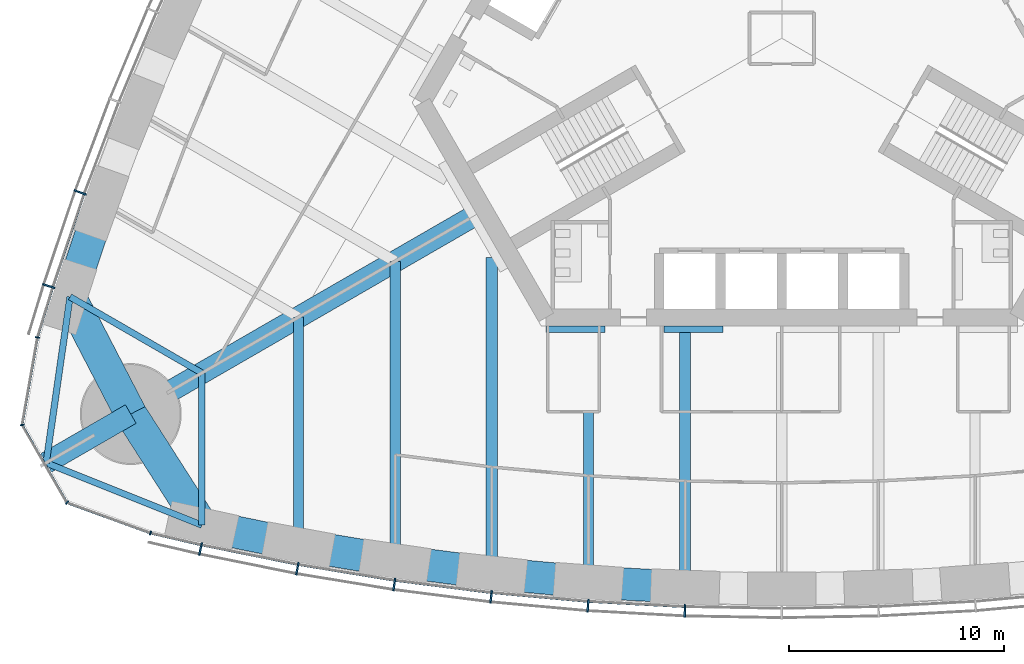
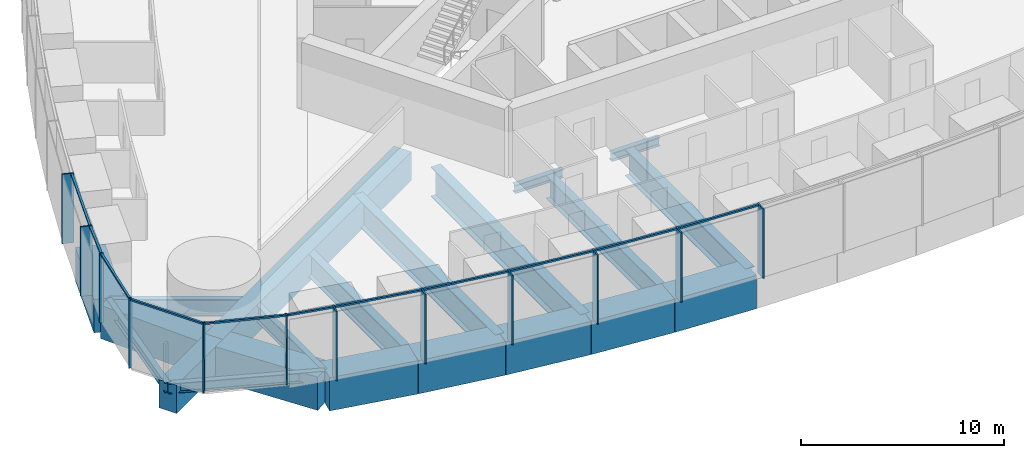
# One storey, part 2 of 20: 23 members, 21 beams, 3 elements without a shape of their own.
"""IFC4 building model written with IfcOpenShell, lengths in metres."""

import ifcopenshell
import ifcopenshell.guid

model = None  # the IFC model being written
_history = None  # IfcOwnerHistory: only IFC2X3 demands one
_inside = {}  # id of a spatial element -> (the spatial element, [elements in it])
_under = {}  # id of a project, library or spatial element -> (it, [spatial elements below it])
_declared = {}  # id of a project -> (the project, [libraries it declares])
_typed = {}  # id of a type object -> (the type object, [elements of that type])
_made_of = {}  # id of a material, layer set ... -> (it, [elements and type objects made of it])


def new_model(schema):
    """Start an empty IFC model of exactly this schema.

    Asked for "IFC4X3", IfcOpenShell would pick the latest addendum, in which some entities
    have other attributes; the version numbers below select the first issue.
    IFC2X3 requires an IfcOwnerHistory on every rooted entity: one is made here for all.
    """
    global model, _history
    if schema == "IFC4X3":
        model = ifcopenshell.file(schema_version=(4, 3, 0, 0))
    else:
        model = ifcopenshell.file(schema=schema)
    _inside.clear()
    _under.clear()
    _declared.clear()
    _typed.clear()
    _made_of.clear()
    _history = None
    if model.schema == "IFC2X3":
        org = make("IfcOrganization", Name="unknown")
        user = make(
            "IfcPersonAndOrganization",
            ThePerson=make("IfcPerson", FamilyName="unknown"),
            TheOrganization=org,
        )
        app = make(
            "IfcApplication",
            ApplicationDeveloper=org,
            Version="unknown",
            ApplicationFullName="unknown",
            ApplicationIdentifier="unknown",
        )
        _history = make(
            "IfcOwnerHistory",
            OwningUser=user,
            OwningApplication=app,
            ChangeAction="ADDED",
            CreationDate=0,
        )
    return model


def make(cls, **values):
    """One entity of the class cls with the attributes given. An attribute that is None is left unset."""
    return model.create_entity(
        cls, **{name: value for name, value in values.items() if value is not None}
    )


def rooted(cls, **values):
    """An entity with a GlobalId (a new one), such as an element, a storey or a relation."""
    return make(cls, GlobalId=ifcopenshell.guid.new(), OwnerHistory=_history, **values)


def si_unit(unit_type, name, prefix=None):
    """IfcSIUnit, for example si_unit("LENGTHUNIT", "METRE", prefix="MILLI")."""
    return make("IfcSIUnit", UnitType=unit_type, Prefix=prefix, Name=name)


def assignment(units):
    """IfcUnitAssignment: the units of a project."""
    return None if units is None else make("IfcUnitAssignment", Units=units)


def point(xyz):
    """IfcCartesianPoint."""
    return None if xyz is None else make("IfcCartesianPoint", Coordinates=xyz)


def direction(xyz):
    """IfcDirection."""
    return None if xyz is None else make("IfcDirection", DirectionRatios=xyz)


def frame(location, z_axis=None, x_axis=None):
    """IfcAxis2Placement3D, a coordinate frame: its origin and axes. An axis left out is left unset."""
    return make(
        "IfcAxis2Placement3D",
        Location=point(location),
        Axis=direction(z_axis),
        RefDirection=direction(x_axis),
    )


def frame_2d(location, x_axis=None):
    """IfcAxis2Placement2D, a coordinate frame in the plane: its origin and x axis."""
    return make(
        "IfcAxis2Placement2D", Location=point(location), RefDirection=direction(x_axis)
    )


def origin():
    """The frame at (0, 0, 0) with its axes left unset."""
    return frame((0.0, 0.0, 0.0))


def origin_2d():
    """The frame at (0, 0) in the plane with its x axis left unset."""
    return frame_2d((0.0, 0.0))


def place(relative_to, where):
    """IfcLocalPlacement: puts the frame where relative to a parent placement (None: the world)."""
    return make(
        "IfcLocalPlacement", PlacementRelTo=relative_to, RelativePlacement=where
    )


def context(
    kind, dimensions, precision=None, world=None, true_north=None, identifier=None
):
    """IfcGeometricRepresentationContext, for example the 3D "Model" context."""
    return make(
        "IfcGeometricRepresentationContext",
        ContextIdentifier=identifier,
        ContextType=kind,
        CoordinateSpaceDimension=dimensions,
        Precision=precision,
        WorldCoordinateSystem=world,
        TrueNorth=true_north,
    )


def subcontext(parent, identifier, kind, view, scale=None):
    """IfcGeometricRepresentationSubContext, for example "Body" below "Model"."""
    return make(
        "IfcGeometricRepresentationSubContext",
        ContextIdentifier=identifier,
        ContextType=kind,
        ParentContext=parent,
        TargetScale=scale,
        TargetView=view,
    )


def project(units=None, contexts=None):
    """IfcProject with its units and contexts."""
    return rooted(
        "IfcProject",
        Name="project",
        RepresentationContexts=contexts,
        UnitsInContext=assignment(units),
    )


def spatial(cls, under=None, at=None, **own):
    """A site, building, storey or space (cls), placed at a placement, below another one or the project."""
    s = rooted(cls, ObjectPlacement=at, **own)
    if under is not None:
        _under.setdefault(under.id(), (under, []))[1].append(s)
    return s


def profile(cls, at=None, kind="AREA", **sizes):
    """A parametric profile (cls). Its sizes go by their IFC names, for example OverallWidth=200.0."""
    return make(cls, ProfileType=kind, Position=at, **sizes)


def rectangle(**sizes):
    """IfcRectangleProfileDef."""
    return profile("IfcRectangleProfileDef", **sizes)


def i_section(**sizes):
    """IfcIShapeProfileDef."""
    return profile("IfcIShapeProfileDef", **sizes)


def extrude(swept, where, along, depth):
    """IfcExtrudedAreaSolid: the profile swept, set in the frame where, extruded along a direction by depth."""
    return make(
        "IfcExtrudedAreaSolid",
        SweptArea=swept,
        Position=where,
        ExtrudedDirection=direction(along),
        Depth=depth,
    )


def shape(context_of_items, identifier, shape_type, items):
    """IfcShapeRepresentation: the items that make up one representation, for example the "Body"."""
    return make(
        "IfcShapeRepresentation",
        ContextOfItems=context_of_items,
        RepresentationIdentifier=identifier,
        RepresentationType=shape_type,
        Items=items,
    )


def material(Name=None, Category=None):
    """IfcMaterial."""
    return make("IfcMaterial", Name=Name, Category=Category)


def material_profile(
    of_material, cross_section, Name=None, Category=None, Priority=None
):
    """IfcMaterialProfile: a cross section and its material."""
    return make(
        "IfcMaterialProfile",
        Name=Name,
        Material=of_material,
        Profile=cross_section,
        Priority=Priority,
        Category=Category,
    )


def profile_set(profiles, Name=None, composite=None):
    """IfcMaterialProfileSet."""
    return make(
        "IfcMaterialProfileSet",
        Name=Name,
        MaterialProfiles=profiles,
        CompositeProfile=composite,
    )


def made_of(thing, what):
    """Note that an element or type object is made of a material, layer set ...; save() writes the relation."""
    if what is not None:
        _made_of.setdefault(what.id(), (what, []))[1].append(thing)
    return thing


def type_object(cls, material=None, **own):
    """A type object (cls), such as IfcWallType, which elements share."""
    return made_of(rooted(cls, **own), material)


def element(
    cls,
    number,
    at=None,
    inside=None,
    cuts=None,
    type_object=None,
    material=None,
    context=None,
    identifier="Body",
    shape_type=None,
    held_by="IfcProductDefinitionShape",
    body=None,
    shapes=None,
    **own,
):
    """One element of the class cls, such as IfcWall. Its Tag is "e" and its number.

    at: its placement. inside: the storey or other place that contains it. cuts: it is an
    opening in that element (IfcRelVoidsElement). A single representation is given by context,
    identifier, shape_type and body (its items); several are given by shapes. held_by: the class
    of the entity that holds the representations. save() writes the other relations.
    """
    e = rooted(cls, Tag="e%d" % number, ObjectPlacement=at, **own)
    if body is not None:
        shapes = [shape(context, identifier, shape_type, body)]
    if shapes is not None:
        e.Representation = make(held_by, Representations=shapes)
    if inside is not None:
        _inside.setdefault(inside.id(), (inside, []))[1].append(e)
    if cuts is not None:
        rooted(
            "IfcRelVoidsElement", RelatingBuildingElement=cuts, RelatedOpeningElement=e
        )
    if type_object is not None:
        _typed.setdefault(type_object.id(), (type_object, []))[1].append(e)
    return made_of(e, material)


def aggregate(whole, parts):
    """IfcRelAggregates: a whole, such as a stair, and the parts it consists of."""
    return rooted("IfcRelAggregates", RelatingObject=whole, RelatedObjects=parts)


def save(model, path):
    """Write the relations noted so far, then the file.

    IfcRelAggregates (storeys below a building ...), IfcRelContainedInSpatialStructure (elements
    in a storey), IfcRelDefinesByType, IfcRelAssociatesMaterial and IfcRelDeclares: one each for
    every whole, place, type object, material and project.
    """
    for whole, parts in _under.values():
        aggregate(whole, parts)
    for where, things in _inside.values():
        rooted(
            "IfcRelContainedInSpatialStructure",
            RelatedElements=things,
            RelatingStructure=where,
        )
    for kind, things in _typed.values():
        rooted("IfcRelDefinesByType", RelatedObjects=things, RelatingType=kind)
    for what, things in _made_of.values():
        rooted("IfcRelAssociatesMaterial", RelatedObjects=things, RelatingMaterial=what)
    for by, libraries in _declared.values():
        rooted("IfcRelDeclares", RelatingContext=by, RelatedDefinitions=libraries)
    model.write(path)


model = new_model("IFC4")

# Units and contexts
model_context = context("Model", 3, precision=1e-05, world=origin(), true_north=direction((0.0, 1.0)))
body_context = subcontext(model_context, "Body", "Model", "MODEL_VIEW")
ifc_project = project(units=[si_unit("LENGTHUNIT", "METRE"), si_unit("AREAUNIT", "SQUARE_METRE"), si_unit("VOLUMEUNIT", "CUBIC_METRE"), si_unit("PLANEANGLEUNIT", "RADIAN"), si_unit("MASSUNIT", "GRAM", prefix="KILO")], contexts=[model_context])

# Site, building, storey
site_placement = place(None, origin())
site = spatial("IfcSite", under=ifc_project, at=site_placement, CompositionType="ELEMENT")
building_placement = place(site_placement, origin())
building = spatial("IfcBuilding", under=site, at=building_placement, Name="Trefoil Bronze Tower", CompositionType="ELEMENT")
storey_placement = place(building_placement, frame((0.0, 0.0, 103.10009765625)))
storey = spatial("IfcBuildingStorey", under=building, at=storey_placement, Name="L23", CompositionType="ELEMENT", Elevation=103.10009765625)

# Curtain wall, members
ifc_material_1 = material(Name="Tinted solar-control glass", Category="glass")
curtain_wall_type_1 = type_object("IfcCurtainWallType", Name="Bronze office curtain wall", PredefinedType="USERDEFINED", material=ifc_material_1)
curtain_wall_1_placement = place(storey_placement, origin())
curtain_wall_1 = element("IfcCurtainWall", 1, at=curtain_wall_1_placement, inside=storey, type_object=curtain_wall_type_1, Name="CW-A L23 F1", ObjectType="CURTAIN WALL", PredefinedType="USERDEFINED")
ifc_material_2 = material(Name="Bronze-finish aluminium", Category="aluminium")
ifc_material_profile_1 = material_profile(ifc_material_2, rectangle(XDim=0.60009765625, YDim=0.080078125, at=origin_2d()), Name="CW-A mullion")
ifc_profile_set_1 = profile_set([ifc_material_profile_1], Name="Bronze-finish aluminium")
member_type_1 = type_object("IfcMemberType", Name="Bronze office curtain wall mullion", PredefinedType="MULLION", material=ifc_profile_set_1)
member_1_placement = place(storey_placement, frame((-27.0634765625, -23.7890625, 0.0), z_axis=(0.0, 0.0, 1.0), x_axis=(0.21197042503, 0.977276081214, 0.0)))
member_1 = element("IfcMember", 2, at=member_1_placement, type_object=member_type_1, Name="CW-A L23 F1 mullion 2", PredefinedType="MULLION", context=body_context, shape_type="SweptSolid", body=[
    extrude(rectangle(XDim=0.60009765625, YDim=0.080078125, at=origin_2d()), origin(), (0.0, 0.0, 1.0), 4.179931640625),
])
member_2_placement = place(storey_placement, frame((-22.553955078125, -24.700927734375, 0.0), z_axis=(0.0, 0.0, 1.0), x_axis=(0.180240853954, 0.98362250613, 0.0)))
member_2 = element("IfcMember", 3, at=member_2_placement, type_object=member_type_1, Name="CW-A L23 F1 mullion 3", PredefinedType="MULLION", context=body_context, shape_type="SweptSolid", body=[
    extrude(rectangle(XDim=0.60009765625, YDim=0.080078125, at=origin_2d()), origin(), (0.0, 0.0, 1.0), 4.179931640625),
])
member_3_placement = place(storey_placement, frame((-18.043212890625, -25.4423828125, 0.0), z_axis=(0.0, 0.0, 1.0), x_axis=(0.144192103798, 0.989549714366, 0.0)))
member_3 = element("IfcMember", 4, at=member_3_placement, type_object=member_type_1, Name="CW-A L23 F1 mullion 4", PredefinedType="MULLION", context=body_context, shape_type="SweptSolid", body=[
    extrude(rectangle(XDim=0.60009765625, YDim=0.080078125, at=origin_2d()), origin(), (0.0, 0.0, 1.0), 4.179931640625),
])
member_4_placement = place(storey_placement, frame((-13.532470703125, -26.01611328125, 0.0), z_axis=(0.0, 0.0, 1.0), x_axis=(0.108143747013, 0.994135267447, 0.0)))
member_4 = element("IfcMember", 5, at=member_4_placement, type_object=member_type_1, Name="CW-A L23 F1 mullion 5", PredefinedType="MULLION", context=body_context, shape_type="SweptSolid", body=[
    extrude(rectangle(XDim=0.60009765625, YDim=0.080078125, at=origin_2d()), origin(), (0.0, 0.0, 1.0), 4.179931640625),
])
member_5_placement = place(storey_placement, frame((-9.021728515625, -26.424072265625, 0.0), z_axis=(0.0, 0.0, 1.0), x_axis=(0.072095676284, 0.997397720802, 0.0)))
member_5 = element("IfcMember", 6, at=member_5_placement, type_object=member_type_1, Name="CW-A L23 F1 mullion 6", PredefinedType="MULLION", context=body_context, shape_type="SweptSolid", body=[
    extrude(rectangle(XDim=0.60009765625, YDim=0.080078125, at=origin_2d()), origin(), (0.0, 0.0, 1.0), 4.179931640625),
])
member_6_placement = place(storey_placement, frame((-4.5107421875, -26.66845703125, 0.0), z_axis=(0.0, 0.0, 1.0), x_axis=(0.036047792107, 0.999350067136, 0.0)))
member_6 = element("IfcMember", 7, at=member_6_placement, type_object=member_type_1, Name="CW-A L23 F1 mullion 7", PredefinedType="MULLION", context=body_context, shape_type="SweptSolid", body=[
    extrude(rectangle(XDim=0.60009765625, YDim=0.080078125, at=origin_2d()), origin(), (0.0, 0.0, 1.0), 4.179931640625),
])

curtain_wall_2_placement = place(storey_placement, origin())
curtain_wall_2 = element("IfcCurtainWall", 8, at=curtain_wall_2_placement, inside=storey, type_object=curtain_wall_type_1, Name="CW-A L23 F3", ObjectType="CURTAIN WALL", PredefinedType="USERDEFINED")
member_7_placement = place(storey_placement, frame((-32.668701171875, -7.181884765625, 0.0), z_axis=(0.0, 0.0, 1.0), x_axis=(0.94196250502, -0.335718094742, 0.0)))
member_7 = element("IfcMember", 9, at=member_7_placement, type_object=member_type_1, Name="CW-A L23 F3 mullion 13", PredefinedType="MULLION", context=body_context, shape_type="SweptSolid", body=[
    extrude(rectangle(XDim=0.60009765625, YDim=0.080078125, at=origin_2d()), origin(), (0.0, 0.0, 1.0), 4.179931640625),
])
member_8_placement = place(storey_placement, frame((-34.1337890625, -11.543212890625, 0.0), z_axis=(0.0, 0.0, 1.0), x_axis=(0.952331125357, -0.30506626768, 0.0)))
member_8 = element("IfcMember", 10, at=member_8_placement, type_object=member_type_1, Name="CW-A L23 F3 mullion 14", PredefinedType="MULLION", context=body_context, shape_type="SweptSolid", body=[
    extrude(rectangle(XDim=0.60009765625, YDim=0.080078125, at=origin_2d()), origin(), (0.0, 0.0, 1.0), 4.179931640625),
])

# Member
ifc_material_3 = material(Name="Bronze-finish aluminium", Category="aluminium")
ifc_material_profile_2 = material_profile(ifc_material_3, rectangle(XDim=0.1201171875, YDim=0.10009765625, at=origin_2d()), Name="CW-A transom")
ifc_profile_set_2 = profile_set([ifc_material_profile_2], Name="Bronze-finish aluminium")
member_type_2 = type_object("IfcMemberType", Name="Bronze office curtain wall transom", PredefinedType="USERDEFINED", material=ifc_profile_set_2)
member_9_placement = place(storey_placement, frame((-29.34130859375, -23.05615234375, 4.1298828125), z_axis=(0.974206243495, -0.225659467196, 0.0), x_axis=(0.225659467196, 0.974206243495, 0.0)))
member_9 = element("IfcMember", 11, at=member_9_placement, type_object=member_type_2, Name="CW-A L23 F1 transom 1", ObjectType="TRANSOM", PredefinedType="USERDEFINED", context=body_context, shape_type="SweptSolid", body=[
    extrude(rectangle(XDim=0.1201171875, YDim=0.10009765625, at=origin_2d()), origin(), (0.0, 0.0, 1.0), 2.340087890625),
])

member_10_placement = place(storey_placement, frame((-26.980712890625, -23.601806640625, 4.1298828125), z_axis=(0.980153749225, -0.198238815273, 0.0), x_axis=(0.198238815273, 0.980153749225, 0.0)))
member_10 = element("IfcMember", 12, at=member_10_placement, type_object=member_type_2, Name="CW-A L23 F1 transom 2", ObjectType="TRANSOM", PredefinedType="USERDEFINED", context=body_context, shape_type="SweptSolid", body=[
    extrude(rectangle(XDim=0.1201171875, YDim=0.10009765625, at=origin_2d()), origin(), (0.0, 0.0, 1.0), 4.51123046875),
])

member_11_placement = place(storey_placement, frame((-22.476806640625, -24.510986328125, 4.1298828125), z_axis=(0.986755265284, -0.162216048636, 0.0), x_axis=(0.162216048636, 0.986755265284, 0.0)))
member_11 = element("IfcMember", 13, at=member_11_placement, type_object=member_type_2, Name="CW-A L23 F1 transom 3", ObjectType="TRANSOM", PredefinedType="USERDEFINED", context=body_context, shape_type="SweptSolid", body=[
    extrude(rectangle(XDim=0.1201171875, YDim=0.10009765625, at=origin_2d()), origin(), (0.0, 0.0, 1.0), 4.48046875),
])

member_12_placement = place(storey_placement, frame((-17.972900390625, -25.249755859375, 4.1298828125), z_axis=(0.992008387848, -0.12617193998, 0.0), x_axis=(0.12617193998, 0.992008387848, 0.0)))
member_12 = element("IfcMember", 14, at=member_12_placement, type_object=member_type_2, Name="CW-A L23 F1 transom 4", ObjectType="TRANSOM", PredefinedType="USERDEFINED", context=body_context, shape_type="SweptSolid", body=[
    extrude(rectangle(XDim=0.1201171875, YDim=0.10009765625, at=origin_2d()), origin(), (0.0, 0.0, 1.0), 4.456298828125),
])

member_13_placement = place(storey_placement, frame((-13.46923828125, -25.821044921875, 4.1298828125), z_axis=(0.995932787062, -0.090099298863, 0.0), x_axis=(0.090099298863, 0.995932787062, 0.0)))
member_13 = element("IfcMember", 15, at=member_13_placement, type_object=member_type_2, Name="CW-A L23 F1 transom 5", ObjectType="TRANSOM", PredefinedType="USERDEFINED", context=body_context, shape_type="SweptSolid", body=[
    extrude(rectangle(XDim=0.1201171875, YDim=0.10009765625, at=origin_2d()), origin(), (0.0, 0.0, 1.0), 4.4384765625),
])

member_14_placement = place(storey_placement, frame((-8.965576171875, -26.22705078125, 4.1298828125), z_axis=(0.998538253569, -0.054049571306, 0.0), x_axis=(0.054049571306, 0.998538253569, 0.0)))
member_14 = element("IfcMember", 16, at=member_14_placement, type_object=member_type_2, Name="CW-A L23 F1 transom 6", ObjectType="TRANSOM", PredefinedType="USERDEFINED", context=body_context, shape_type="SweptSolid", body=[
    extrude(rectangle(XDim=0.1201171875, YDim=0.10009765625, at=origin_2d()), origin(), (0.0, 0.0, 1.0), 4.4267578125),
])

aggregate(curtain_wall_1, [member_1, member_2, member_3, member_4, member_5, member_6, member_9, member_10, member_11, member_12, member_13, member_14])

member_15_placement = place(storey_placement, frame((-32.49365234375, -7.28857421875, 4.1298828125), z_axis=(-0.318386323729, -0.947961048178, 0.0), x_axis=(0.947961048178, -0.318386323729, 0.0)))
member_15 = element("IfcMember", 17, at=member_15_placement, type_object=member_type_2, Name="CW-A L23 F3 transom 13", ObjectType="TRANSOM", PredefinedType="USERDEFINED", context=body_context, shape_type="SweptSolid", body=[
    extrude(rectangle(XDim=0.1201171875, YDim=0.10009765625, at=origin_2d()), origin(), (0.0, 0.0, 1.0), 4.51123046875),
])

member_16_placement = place(storey_placement, frame((-33.955322265625, -11.643798828125, 4.1298828125), z_axis=(-0.291680468798, -0.956515814883, 0.0), x_axis=(0.956515814883, -0.291680468798, 0.0)))
member_16 = element("IfcMember", 18, at=member_16_placement, type_object=member_type_2, Name="CW-A L23 F3 transom 14", ObjectType="TRANSOM", PredefinedType="USERDEFINED", context=body_context, shape_type="SweptSolid", body=[
    extrude(rectangle(XDim=0.1201171875, YDim=0.10009765625, at=origin_2d()), origin(), (0.0, 0.0, 1.0), 2.34033203125),
])

aggregate(curtain_wall_2, [member_7, member_8, member_15, member_16])

# Curtain wall, members
ifc_material_4 = material(Name="Tinted solar-control glass", Category="glass")
curtain_wall_type_2 = type_object("IfcCurtainWallType", Name="Bronze rounded corner curtain wall", PredefinedType="USERDEFINED", material=ifc_material_4)
curtain_wall_3_placement = place(storey_placement, origin())
curtain_wall_3 = element("IfcCurtainWall", 19, at=curtain_wall_3_placement, inside=storey, type_object=curtain_wall_type_2, Name="CW-B L23 K3", ObjectType="CURTAIN WALL", PredefinedType="USERDEFINED")
ifc_material_5 = material(Name="Bronze-finish aluminium", Category="aluminium")
ifc_material_profile_3 = material_profile(ifc_material_5, rectangle(XDim=0.199951171875, YDim=0.06005859375, at=origin_2d()), Name="CW-B mullion")
ifc_profile_set_3 = profile_set([ifc_material_profile_3], Name="Bronze-finish aluminium")
member_type_3 = type_object("IfcMemberType", Name="Bronze rounded corner curtain wall mullion", PredefinedType="MULLION", material=ifc_profile_set_3)
member_17_placement = place(storey_placement, frame((-34.65234375, -13.932373046875, 0.0), z_axis=(0.0, 0.0, 1.0), x_axis=(0.984807753012, -0.173648177667, 0.0)))
member_17 = element("IfcMember", 20, at=member_17_placement, type_object=member_type_3, Name="CW-B L23 K3 mullion 1", PredefinedType="MULLION", context=body_context, shape_type="SweptSolid", body=[
    extrude(rectangle(XDim=0.199951171875, YDim=0.06005859375, at=origin_2d()), origin(), (0.0, 0.0, 1.0), 4.179931640625),
])
member_18_placement = place(storey_placement, frame((-35.364990234375, -18.009033203125, 0.0), z_axis=(0.0, 0.0, 1.0), x_axis=(0.984807753012, 0.173648177667, 0.0)))
member_18 = element("IfcMember", 21, at=member_18_placement, type_object=member_type_3, Name="CW-B L23 K3 mullion 2", PredefinedType="MULLION", context=body_context, shape_type="SweptSolid", body=[
    extrude(rectangle(XDim=0.199951171875, YDim=0.06005859375, at=origin_2d()), origin(), (0.0, 0.0, 1.0), 4.179931640625),
])
member_19_placement = place(storey_placement, frame((-33.27880859375, -21.62255859375, 0.0), z_axis=(0.0, 0.0, 1.0), x_axis=(0.642787609687, 0.766044443119, 0.0)))
member_19 = element("IfcMember", 22, at=member_19_placement, type_object=member_type_3, Name="CW-B L23 K3 mullion 3", PredefinedType="MULLION", context=body_context, shape_type="SweptSolid", body=[
    extrude(rectangle(XDim=0.199951171875, YDim=0.06005859375, at=origin_2d()), origin(), (0.0, 0.0, 1.0), 4.179931640625),
])
member_20_placement = place(storey_placement, frame((-29.391845703125, -23.043701171875, 0.0), z_axis=(0.0, 0.0, 1.0), x_axis=(0.342020143326, 0.939692620786, 0.0)))
member_20 = element("IfcMember", 23, at=member_20_placement, type_object=member_type_3, Name="CW-B L23 K3 mullion 4", PredefinedType="MULLION", context=body_context, shape_type="SweptSolid", body=[
    extrude(rectangle(XDim=0.199951171875, YDim=0.06005859375, at=origin_2d()), origin(), (0.0, 0.0, 1.0), 4.179931640625),
])
ifc_material_6 = material(Name="Bronze-finish aluminium", Category="aluminium")
ifc_material_profile_4 = material_profile(ifc_material_6, rectangle(XDim=0.1201171875, YDim=0.10009765625, at=origin_2d()), Name="CW-B transom")
ifc_profile_set_4 = profile_set([ifc_material_profile_4], Name="Bronze-finish aluminium")
member_type_4 = type_object("IfcMemberType", Name="Bronze rounded corner curtain wall transom", PredefinedType="USERDEFINED", material=ifc_profile_set_4)
member_21_placement = place(storey_placement, frame((-34.657470703125, -13.9619140625, 4.1298828125), z_axis=(-0.173682016639, -0.984801785689, 0.0), x_axis=(0.984801785689, -0.173682016639, 0.0)))
member_21 = element("IfcMember", 24, at=member_21_placement, type_object=member_type_4, Name="CW-B L23 K3 transom 1", ObjectType="TRANSOM", PredefinedType="USERDEFINED", context=body_context, shape_type="SweptSolid", body=[
    extrude(rectangle(XDim=0.1201171875, YDim=0.10009765625, at=origin_2d()), origin(), (0.0, 0.0, 1.0), 4.044189453125),
])
member_22_placement = place(storey_placement, frame((-35.338134765625, -18.067626953125, 4.1298828125), z_axis=(0.500015078168, -0.866016698225, 0.0), x_axis=(0.866016698225, 0.500015078168, 0.0)))
member_22 = element("IfcMember", 25, at=member_22_placement, type_object=member_type_4, Name="CW-B L23 K3 transom 2", ObjectType="TRANSOM", PredefinedType="USERDEFINED", context=body_context, shape_type="SweptSolid", body=[
    extrude(rectangle(XDim=0.1201171875, YDim=0.10009765625, at=origin_2d()), origin(), (0.0, 0.0, 1.0), 4.04443359375),
])
member_23_placement = place(storey_placement, frame((-33.220458984375, -21.650146484375, 4.1298828125), z_axis=(0.939684096629, -0.342043562347, 0.0), x_axis=(0.342043562347, 0.939684096629, 0.0)))
member_23 = element("IfcMember", 26, at=member_23_placement, type_object=member_type_4, Name="CW-B L23 K3 transom 3", ObjectType="TRANSOM", PredefinedType="USERDEFINED", context=body_context, shape_type="SweptSolid", body=[
    extrude(rectangle(XDim=0.1201171875, YDim=0.10009765625, at=origin_2d()), origin(), (0.0, 0.0, 1.0), 4.044189453125),
])
aggregate(curtain_wall_3, [member_17, member_18, member_19, member_20, member_21, member_22, member_23])

# Beams
ifc_material_7 = material(Name="Steel C355", Category="steel")
ifc_material_profile_5 = material_profile(ifc_material_7, i_section(OverallWidth=0.300048828125, OverallDepth=0.5, WebThickness=0.014404296875, FlangeThickness=0.028076171875, FilletRadius=0.027099609375, at=origin_2d()), Name="HEB 500")
ifc_profile_set_5 = profile_set([ifc_material_profile_5], Name="Steel C355")
beam_type_1 = type_object("IfcBeamType", Name="Core seat beam HEB 500", PredefinedType="BEAM", material=ifc_profile_set_5)
for number, where, z_axis, x_axis, name in (
    (27, (-10.9697265625, -13.550048828125, -0.4501953125), (1.0, 0.0, 0.0), (0.0, 1.0, 0.0), "Core seat beam F1/-2 L23"),
    (28, (-5.48486328125, -13.550048828125, -0.4501953125), (1.0, 0.0, 0.0), (0.0, 1.0, 0.0), "Core seat beam F1/-1 L23"),
):
    element("IfcBeam", number, at=place(storey_placement, frame(where, z_axis=z_axis, x_axis=x_axis)), inside=storey, type_object=beam_type_1, Name=name, PredefinedType="BEAM", context=body_context, shape_type="SweptSolid", body=[
        extrude(i_section(OverallWidth=0.300048828125, OverallDepth=0.5, WebThickness=0.014404296875, FlangeThickness=0.028076171875, FilletRadius=0.027099609375, at=origin_2d()), origin(), (0.0, 0.0, 1.0), 2.742431640625),
    ])
ifc_material_8 = material(Name="Concrete B80", Category="concrete")
ifc_material_profile_6 = material_profile(ifc_material_8, rectangle(XDim=1.0, YDim=1.699951171875, at=origin_2d()), Name="RC 1000x1700")
ifc_profile_set_6 = profile_set([ifc_material_profile_6], Name="Concrete B80")
beam_type_2 = type_object("IfcBeamType", Name="Corner cantilever RC 1000x1700", PredefinedType="BEAM", material=ifc_profile_set_6)
beam_1_placement = place(storey_placement, frame((-30.310791015625, -17.5, -1.050048828125), z_axis=(-0.866031878637, -0.499988785058, 0.0), x_axis=(0.499988785058, -0.866031878637, 0.0)))
element("IfcBeam", 29, at=beam_1_placement, inside=storey, type_object=beam_type_2, Name="Corner cantilever K3 L23", PredefinedType="BEAM", context=body_context, shape_type="SweptSolid", body=[
    extrude(rectangle(XDim=1.0, YDim=1.699951171875, at=origin_2d()), origin(), (0.0, 0.0, 1.0), 4.54931640625),
])
ifc_material_9 = material(Name="Steel C355", Category="steel")
ifc_material_profile_7 = material_profile(ifc_material_9, i_section(OverallWidth=0.300048828125, OverallDepth=0.60009765625, WebThickness=0.015380859375, FlangeThickness=0.030029296875, FilletRadius=0.027099609375, at=origin_2d()), Name="HEB 600")
ifc_profile_set_7 = profile_set([ifc_material_profile_7], Name="Steel C355")
beam_type_3 = type_object("IfcBeamType", Name="Corner edge beam HEB 600", PredefinedType="BEAM", material=ifc_profile_set_7)
for number, where, z_axis, x_axis, name in (
    (30, (-27.0, -22.67724609375, -0.5), (-0.928375332495, 0.371643972122, 0.0), (-0.371643972122, -0.928375332495, 0.0), "Corner edge beam F1B L23"),
    (31, (-33.13916015625, -12.044189453125, -0.5), (-0.142327214588, -0.989819662357, 0.0), (0.989819662357, -0.142327214588, 0.0), "Corner edge beam F3A L23"),
):
    element("IfcBeam", number, at=place(storey_placement, frame(where, z_axis=z_axis, x_axis=x_axis)), inside=storey, type_object=beam_type_3, Name=name, PredefinedType="BEAM", context=body_context, shape_type="SweptSolid", body=[
        extrude(i_section(OverallWidth=0.300048828125, OverallDepth=0.60009765625, WebThickness=0.015380859375, FlangeThickness=0.030029296875, FilletRadius=0.027099609375, at=origin_2d()), origin(), (0.0, 0.0, 1.0), 7.81005859375),
    ])
ifc_material_10 = material(Name="Concrete B80", Category="concrete")
ifc_material_profile_8 = material_profile(ifc_material_10, rectangle(XDim=1.0, YDim=1.699951171875, at=origin_2d()), Name="RC 1000x1700")
ifc_profile_set_8 = profile_set([ifc_material_profile_8], Name="Concrete B80")
beam_type_4 = type_object("IfcBeamType", Name="Corner girder RC 1000x1700", PredefinedType="BEAM", material=ifc_profile_set_8)
beam_2_placement = place(storey_placement, frame((-14.202880859375, -8.199951171875, -1.050048828125), z_axis=(-0.866022084834, -0.500005748546, 0.0), x_axis=(0.500005748546, -0.866022084834, 0.0)))
element("IfcBeam", 32, at=beam_2_placement, inside=storey, type_object=beam_type_4, Name="Corner girder K3 L23", PredefinedType="BEAM", context=body_context, shape_type="SweptSolid", body=[
    extrude(rectangle(XDim=1.0, YDim=1.699951171875, at=origin_2d()), origin(), (0.0, 0.0, 1.0), 18.599853515625),
])
ifc_material_11 = material(Name="Concrete B80", Category="concrete")
ifc_material_profile_9 = material_profile(ifc_material_11, rectangle(XDim=1.5, YDim=2.0, at=origin_2d()), Name="RC 1500x2000")
ifc_profile_set_9 = profile_set([ifc_material_profile_9], Name="Concrete B80")
beam_type_5 = type_object("IfcBeamType", Name="End spandrel beam RC 1500x2000", PredefinedType="SPANDREL", material=ifc_profile_set_9)
for number, where, z_axis, x_axis, name in (
    (33, (-30.310791015625, -17.5, -1.2001953125), (0.53874814953, -0.84246687257, 0.0), (0.84246687257, 0.53874814953, 0.0), "Spandrel F1.1 L23"),
    (34, (-33.13916015625, -12.044189453125, -1.2001953125), (0.460244107083, -0.887792409235, 0.0), (0.887792409235, 0.460244107083, 0.0), "Spandrel F3.14 L23"),
):
    element("IfcBeam", number, at=place(storey_placement, frame(where, z_axis=z_axis, x_axis=x_axis)), inside=storey, type_object=beam_type_5, Name=name, PredefinedType="SPANDREL", context=body_context, shape_type="SweptSolid", body=[
        extrude(rectangle(XDim=1.5, YDim=2.0, at=origin_2d()), origin(), (0.0, 0.0, 1.0), 6.145263671875),
    ])
ifc_material_12 = material(Name="Steel C355", Category="steel")
ifc_material_profile_10 = material_profile(ifc_material_12, i_section(OverallWidth=0.300048828125, OverallDepth=1.0, WebThickness=0.01904296875, FlangeThickness=0.035888671875, FilletRadius=0.030029296875, at=origin_2d()), Name="HEB 1000")
ifc_profile_set_10 = profile_set([ifc_material_profile_10], Name="Steel C355")
beam_type_6 = type_object("IfcBeamType", Name="Floor beam HEB 1000", PredefinedType="BEAM", material=ifc_profile_set_10)
for number, where, z_axis, x_axis, name in (
    (35, (-27.0, -22.67724609375, -0.7001953125), (0.0, 1.0, 0.0), (-1.0, 0.0, 0.0), "Floor beam F1/-6 L23"),
    (36, (-33.13916015625, -12.044189453125, -0.7001953125), (0.866041060244, -0.499972881236, 0.0), (0.499972881236, 0.866041060244, 0.0), "Floor beam F3/+6 L23"),
):
    element("IfcBeam", number, at=place(storey_placement, frame(where, z_axis=z_axis, x_axis=x_axis)), inside=storey, type_object=beam_type_6, Name=name, PredefinedType="BEAM", context=body_context, shape_type="SweptSolid", body=[
        extrude(i_section(OverallWidth=0.300048828125, OverallDepth=1.0, WebThickness=0.01904296875, FlangeThickness=0.035888671875, FilletRadius=0.030029296875, at=origin_2d()), origin(), (0.0, 0.0, 1.0), 7.0888671875),
    ])
ifc_material_13 = material(Name="Steel C355", Category="steel")
ifc_material_profile_11 = material_profile(ifc_material_13, i_section(OverallWidth=0.449951171875, OverallDepth=1.39990234375, WebThickness=0.02294921875, FlangeThickness=0.044921875, FilletRadius=0.011962890625, at=origin_2d()), Name="WPG 1400")
ifc_profile_set_11 = profile_set([ifc_material_profile_11], Name="Steel C355")
beam_type_7 = type_object("IfcBeamType", Name="Floor beam WPG 1400", PredefinedType="BEAM", material=ifc_profile_set_11)
beam_3_placement = place(storey_placement, frame((-22.5, -23.592529296875, -0.900146484375), z_axis=(0.0, 1.0, 0.0), x_axis=(-1.0, 0.0, 0.0)))
element("IfcBeam", 37, at=beam_3_placement, inside=storey, type_object=beam_type_7, Name="Floor beam F1/-5 L23", PredefinedType="BEAM", context=body_context, shape_type="SweptSolid", body=[
    extrude(i_section(OverallWidth=0.449951171875, OverallDepth=1.39990234375, WebThickness=0.02294921875, FlangeThickness=0.044921875, FilletRadius=0.011962890625, at=origin_2d()), origin(), (0.0, 0.0, 1.0), 10.60205078125),
])
beam_4_placement = place(storey_placement, frame((-9.0, -25.32275390625, -0.900146484375), z_axis=(0.0, 1.0, 0.0), x_axis=(-1.0, 0.0, 0.0)))
element("IfcBeam", 38, at=beam_4_placement, inside=storey, type_object=beam_type_7, Name="Floor beam F1/-2 L23", PredefinedType="BEAM", context=body_context, shape_type="SweptSolid", body=[
    extrude(i_section(OverallWidth=0.449951171875, OverallDepth=1.39990234375, WebThickness=0.02294921875, FlangeThickness=0.044921875, FilletRadius=0.011962890625, at=origin_2d()), origin(), (0.0, 0.0, 1.0), 11.622802734375),
])
ifc_material_14 = material(Name="Steel C355", Category="steel")
ifc_material_profile_12 = material_profile(ifc_material_14, i_section(OverallWidth=0.5, OverallDepth=1.60009765625, WebThickness=0.02587890625, FlangeThickness=0.050048828125, FilletRadius=0.011962890625, at=origin_2d()), Name="WPG 1600")
ifc_profile_set_12 = profile_set([ifc_material_profile_12], Name="Steel C355")
beam_type_8 = type_object("IfcBeamType", Name="Floor beam WPG 1600", PredefinedType="BEAM", material=ifc_profile_set_12)
beam_5_placement = place(storey_placement, frame((-18.0, -24.337158203125, -1.0), z_axis=(0.0, 1.0, 0.0), x_axis=(-1.0, 0.0, 0.0)))
element("IfcBeam", 39, at=beam_5_placement, inside=storey, type_object=beam_type_8, Name="Floor beam F1/-4 L23", PredefinedType="BEAM", context=body_context, shape_type="SweptSolid", body=[
    extrude(i_section(OverallWidth=0.5, OverallDepth=1.60009765625, WebThickness=0.02587890625, FlangeThickness=0.050048828125, FilletRadius=0.011962890625, at=origin_2d()), origin(), (0.0, 0.0, 1.0), 13.94482421875),
])
beam_6_placement = place(storey_placement, frame((-4.5, -25.568115234375, -1.0), z_axis=(0.0, 1.0, 0.0), x_axis=(-1.0, 0.0, 0.0)))
element("IfcBeam", 40, at=beam_6_placement, inside=storey, type_object=beam_type_8, Name="Floor beam F1/-1 L23", PredefinedType="BEAM", context=body_context, shape_type="SweptSolid", body=[
    extrude(i_section(OverallWidth=0.5, OverallDepth=1.60009765625, WebThickness=0.02587890625, FlangeThickness=0.050048828125, FilletRadius=0.011962890625, at=origin_2d()), origin(), (0.0, 0.0, 1.0), 11.8681640625),
])
ifc_material_15 = material(Name="Steel C355", Category="steel")
ifc_material_profile_13 = material_profile(ifc_material_15, i_section(OverallWidth=0.550048828125, OverallDepth=1.800048828125, WebThickness=0.029052734375, FlangeThickness=0.054931640625, FilletRadius=0.013916015625, at=origin_2d()), Name="WPG 1800")
ifc_profile_set_13 = profile_set([ifc_material_profile_13], Name="Steel C355")
beam_type_9 = type_object("IfcBeamType", Name="Floor beam WPG 1800", PredefinedType="BEAM", material=ifc_profile_set_13)
beam_7_placement = place(storey_placement, frame((-13.5, -24.9130859375, -1.10009765625), z_axis=(0.0, 1.0, 0.0), x_axis=(-1.0, 0.0, 0.0)))
element("IfcBeam", 41, at=beam_7_placement, inside=storey, type_object=beam_type_9, Name="Floor beam F1/-3 L23", PredefinedType="BEAM", context=body_context, shape_type="SweptSolid", body=[
    extrude(i_section(OverallWidth=0.550048828125, OverallDepth=1.800048828125, WebThickness=0.029052734375, FlangeThickness=0.054931640625, FilletRadius=0.013916015625, at=origin_2d()), origin(), (0.0, 0.0, 1.0), 14.69580078125),
])
ifc_material_16 = material(Name="Concrete B80", Category="concrete")
ifc_material_profile_14 = material_profile(ifc_material_16, rectangle(XDim=1.5, YDim=2.0, at=origin_2d()), Name="RC 1500x2000")
ifc_profile_set_14 = profile_set([ifc_material_profile_14], Name="Concrete B80")
beam_type_10 = type_object("IfcBeamType", Name="Spandrel beam RC 1500x2000", PredefinedType="SPANDREL", material=ifc_profile_set_14)
beam_8_placement = place(storey_placement, frame((-27.0, -22.67724609375, -1.2001953125), z_axis=(0.979935430296, -0.199315208777, 0.0), x_axis=(0.199315208777, 0.979935430296, 0.0)))
element("IfcBeam", 42, at=beam_8_placement, inside=storey, type_object=beam_type_10, Name="Spandrel F1.2 L23", PredefinedType="SPANDREL", context=body_context, shape_type="SweptSolid", body=[
    extrude(rectangle(XDim=1.5, YDim=2.0, at=origin_2d()), origin(), (0.0, 0.0, 1.0), 4.592041015625),
])
beam_9_placement = place(storey_placement, frame((-22.5, -23.592529296875, -1.2001953125), z_axis=(0.986584214684, -0.163253138823, 0.0), x_axis=(0.163253138823, 0.986584214684, 0.0)))
element("IfcBeam", 43, at=beam_9_placement, inside=storey, type_object=beam_type_10, Name="Spandrel F1.3 L23", PredefinedType="SPANDREL", context=body_context, shape_type="SweptSolid", body=[
    extrude(rectangle(XDim=1.5, YDim=2.0, at=origin_2d()), origin(), (0.0, 0.0, 1.0), 4.561279296875),
])
beam_10_placement = place(storey_placement, frame((-18.0, -24.337158203125, -1.2001953125), z_axis=(0.991909314257, -0.126948463126, 0.0), x_axis=(0.126948463126, 0.991909314257, 0.0)))
element("IfcBeam", 44, at=beam_10_placement, inside=storey, type_object=beam_type_10, Name="Spandrel F1.4 L23", PredefinedType="SPANDREL", context=body_context, shape_type="SweptSolid", body=[
    extrude(rectangle(XDim=1.5, YDim=2.0, at=origin_2d()), origin(), (0.0, 0.0, 1.0), 4.53662109375),
])
beam_11_placement = place(storey_placement, frame((-13.5, -24.9130859375, -1.2001953125), z_axis=(0.995881683815, -0.090662405894, 0.0), x_axis=(0.090662405894, 0.995881683815, 0.0)))
element("IfcBeam", 45, at=beam_11_placement, inside=storey, type_object=beam_type_10, Name="Spandrel F1.5 L23", PredefinedType="SPANDREL", context=body_context, shape_type="SweptSolid", body=[
    extrude(rectangle(XDim=1.5, YDim=2.0, at=origin_2d()), origin(), (0.0, 0.0, 1.0), 4.5185546875),
])
beam_12_placement = place(storey_placement, frame((-9.0, -25.32275390625, -1.2001953125), z_axis=(0.998516832602, -0.054443870267, 0.0), x_axis=(0.054443870267, 0.998516832602, 0.0)))
element("IfcBeam", 46, at=beam_12_placement, inside=storey, type_object=beam_type_10, Name="Spandrel F1.6 L23", PredefinedType="SPANDREL", context=body_context, shape_type="SweptSolid", body=[
    extrude(rectangle(XDim=1.5, YDim=2.0, at=origin_2d()), origin(), (0.0, 0.0, 1.0), 4.506591796875),
])
beam_13_placement = place(storey_placement, frame((-31.681884765625, -7.689208984375, -1.2001953125), z_axis=(-0.31732802068, -0.948315837309, 0.0), x_axis=(0.948315837309, -0.31732802068, 0.0)))
element("IfcBeam", 47, at=beam_13_placement, inside=storey, type_object=beam_type_10, Name="Spandrel F3.13 L23", PredefinedType="SPANDREL", context=body_context, shape_type="SweptSolid", body=[
    extrude(rectangle(XDim=1.5, YDim=2.0, at=origin_2d()), origin(), (0.0, 0.0, 1.0), 4.59228515625),
])

save(model, "model.ifc")
